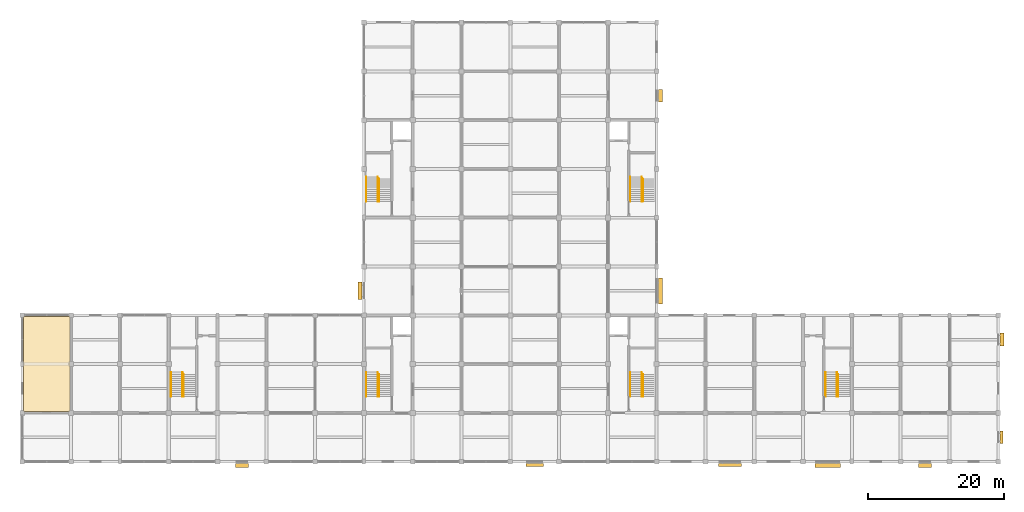
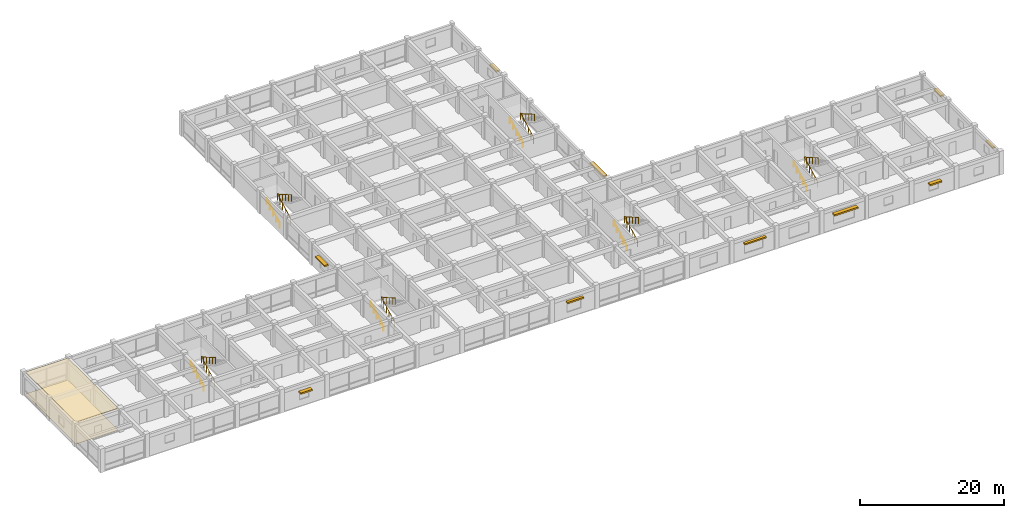
# One storey, part 25 of 25: 12 railings, 10 shading devices, 2 coverings.
"""IFC4 building model written with IfcOpenShell, lengths in metres."""

from ifc_helpers import new_model, si_unit, direction, frame, origin, origin_2d, place, context, subcontext, project, spatial, polyline, rectangle, circle, outline, extrude, material, layer, layer_set, type_object, element, save


model = new_model("IFC4")

# Units and contexts
model_context = context("Model", 3, precision=1e-05, world=origin(), true_north=direction((0.0, 1.0)))
body_context = subcontext(model_context, "Body", "Model", "MODEL_VIEW")
ifc_project = project(units=[si_unit("LENGTHUNIT", "METRE"), si_unit("AREAUNIT", "SQUARE_METRE"), si_unit("VOLUMEUNIT", "CUBIC_METRE"), si_unit("PLANEANGLEUNIT", "RADIAN"), si_unit("MASSUNIT", "GRAM", prefix="KILO")], contexts=[model_context])

# Site, building, storey
site_placement = place(None, origin())
site = spatial("IfcSite", under=ifc_project, at=site_placement, CompositionType="ELEMENT")
building_placement = place(site_placement, origin())
building = spatial("IfcBuilding", under=site, at=building_placement, Name="Cendaluz Park School", CompositionType="ELEMENT")
storey_placement = place(building_placement, frame((0.0, 0.0, 18.60009765625)))
storey = spatial("IfcBuildingStorey", under=building, at=storey_placement, Name="L04", CompositionType="ELEMENT", Elevation=18.60009765625)

# Coverings
ifc_material_1 = material(Name="Mineral Fibre Acoustic Tile")
ifc_layer_1 = layer(ifc_material_1, 0.030029296875)
ifc_layer_set_1 = layer_set([ifc_layer_1], Name="Mineral Fibre Acoustic Tile")
covering_type_1 = type_object("IfcCoveringType", Name="CV-CLG01", PredefinedType="CEILING", material=ifc_layer_set_1)
covering_1_placement = place(storey_placement, frame((0.0, 0.0, 3.7099609375)))
element("IfcCovering", 1, at=covering_1_placement, inside=storey, type_object=covering_type_1, Name="CV-CLG-L04-01", PredefinedType="CEILING", context=body_context, shape_type="SweptSolid", body=[
    extrude(outline(polyline([(14.60009765625, 14.60009765625), (21.39990234375, 14.60009765625), (21.39990234375, 28.60009765625), (14.60009765625, 28.60009765625), (14.60009765625, 14.60009765625)])), origin(), (0.0, 0.0, 1.0), 0.030029296875),
])
ifc_material_2 = material(Name="Polished Terrazzo Tile")
ifc_layer_2 = layer(ifc_material_2, 0.02001953125)
ifc_layer_set_2 = layer_set([ifc_layer_2], Name="Polished Terrazzo Tile")
covering_type_2 = type_object("IfcCoveringType", Name="CV-FLR01", PredefinedType="FLOORING", material=ifc_layer_set_2)
covering_2_placement = place(storey_placement, origin())
element("IfcCovering", 2, at=covering_2_placement, inside=storey, type_object=covering_type_2, Name="CV-FLR-L04-01", PredefinedType="FLOORING", context=body_context, shape_type="SweptSolid", body=[
    extrude(outline(polyline([(14.60009765625, 14.60009765625), (21.39990234375, 14.60009765625), (21.39990234375, 28.60009765625), (14.60009765625, 28.60009765625), (14.60009765625, 14.60009765625)])), origin(), (0.0, 0.0, 1.0), 0.02001953125),
])

# Railings
ifc_material_3 = material(Name="Wrought Iron")
railing_type_1 = type_object("IfcRailingType", Name="GR-ST01", PredefinedType="BALUSTRADE", material=ifc_material_3)
railing_1_placement = place(storey_placement, frame((66.840087890625, 16.800048828125, 0.159912109375)))
element("IfcRailing", 3, at=railing_1_placement, inside=storey, type_object=railing_type_1, Name="GR-ST-011", PredefinedType="BALUSTRADE", context=body_context, shape_type="SweptSolid", body=[
    extrude(circle(Radius=0.02392578125, at=origin_2d()), frame((0.0, 0.0, 1.076171875), z_axis=(0.0, 0.882352941176, 0.470588235294), x_axis=(-1.0, 0.0, 0.0)), (0.0, 0.0, 1.0), 4.079833984375),
    extrude(circle(Radius=0.02392578125, at=origin_2d()), frame((0.0, 3.599853515625, 2.99609375), z_axis=(0.493084071153, -0.86998166577, 0.0), x_axis=(0.86998166577, 0.493084071153, 0.0)), (0.0, 0.0, 1.0), 0.3447265625),
    extrude(circle(Radius=0.02392578125, at=origin_2d()), frame((0.169921875, 3.300048828125, 2.99609375), z_axis=(0.0, -0.86433267106, 0.502920504393), x_axis=(1.0, 0.0, 0.0)), (0.0, 0.0, 1.0), 3.818115234375),
    extrude(circle(Radius=0.02099609375, at=origin_2d()), origin(), (0.0, 0.0, 1.0), 1.052001953125),
    extrude(circle(Radius=0.02099609375, at=origin_2d()), frame((0.0, 0.719970703125, 0.384033203125)), (0.0, 0.0, 1.0), 1.052001953125),
    extrude(circle(Radius=0.02099609375, at=origin_2d()), frame((0.0, 1.43994140625, 0.76806640625)), (0.0, 0.0, 1.0), 1.052001953125),
    extrude(circle(Radius=0.02099609375, at=origin_2d()), frame((0.0, 2.159912109375, 1.15185546875)), (0.0, 0.0, 1.0), 1.052001953125),
    extrude(circle(Radius=0.02099609375, at=origin_2d()), frame((0.0, 2.8798828125, 1.535888671875)), (0.0, 0.0, 1.0), 1.052001953125),
    extrude(circle(Radius=0.02099609375, at=origin_2d()), frame((0.0, 3.599853515625, 1.919921875)), (0.0, 0.0, 1.0), 1.052001953125),
    extrude(circle(Radius=0.02099609375, at=origin_2d()), frame((0.169921875, 3.300048828125, 1.919921875)), (0.0, 0.0, 1.0), 1.052001953125),
    extrude(circle(Radius=0.02099609375, at=origin_2d()), frame((0.169921875, 2.47509765625, 2.39990234375)), (0.0, 0.0, 1.0), 1.052001953125),
    extrude(circle(Radius=0.02099609375, at=origin_2d()), frame((0.169921875, 1.64990234375, 2.8798828125)), (0.0, 0.0, 1.0), 1.052001953125),
    extrude(circle(Radius=0.02099609375, at=origin_2d()), frame((0.169921875, 0.824951171875, 3.360107421875)), (0.0, 0.0, 1.0), 1.052001953125),
    extrude(circle(Radius=0.02099609375, at=origin_2d()), frame((0.169921875, 0.0, 3.840087890625)), (0.0, 0.0, 1.0), 1.052001953125),
])
railing_2_placement = place(storey_placement, frame((105.7900390625, 16.800048828125, 0.159912109375)))
element("IfcRailing", 4, at=railing_2_placement, inside=storey, type_object=railing_type_1, Name="GR-ST-046", PredefinedType="BALUSTRADE", context=body_context, shape_type="SweptSolid", body=[
    extrude(circle(Radius=0.02392578125, at=origin_2d()), frame((0.0, 0.0, 1.076171875), z_axis=(0.0, 0.882352941176, 0.470588235294), x_axis=(-1.0, 0.0, 0.0)), (0.0, 0.0, 1.0), 4.079833984375),
    extrude(circle(Radius=0.02392578125, at=origin_2d()), frame((0.0, 3.599853515625, 2.99609375), z_axis=(0.493084071153, -0.86998166577, 0.0), x_axis=(0.86998166577, 0.493084071153, 0.0)), (0.0, 0.0, 1.0), 0.3447265625),
    extrude(circle(Radius=0.02392578125, at=origin_2d()), frame((0.169921875, 3.300048828125, 2.99609375), z_axis=(0.0, -0.86433267106, 0.502920504393), x_axis=(1.0, 0.0, 0.0)), (0.0, 0.0, 1.0), 3.818115234375),
    extrude(circle(Radius=0.02099609375, at=origin_2d()), origin(), (0.0, 0.0, 1.0), 1.052001953125),
    extrude(circle(Radius=0.02099609375, at=origin_2d()), frame((0.0, 0.719970703125, 0.384033203125)), (0.0, 0.0, 1.0), 1.052001953125),
    extrude(circle(Radius=0.02099609375, at=origin_2d()), frame((0.0, 1.43994140625, 0.76806640625)), (0.0, 0.0, 1.0), 1.052001953125),
    extrude(circle(Radius=0.02099609375, at=origin_2d()), frame((0.0, 2.159912109375, 1.15185546875)), (0.0, 0.0, 1.0), 1.052001953125),
    extrude(circle(Radius=0.02099609375, at=origin_2d()), frame((0.0, 2.8798828125, 1.535888671875)), (0.0, 0.0, 1.0), 1.052001953125),
    extrude(circle(Radius=0.02099609375, at=origin_2d()), frame((0.0, 3.599853515625, 1.919921875)), (0.0, 0.0, 1.0), 1.052001953125),
    extrude(circle(Radius=0.02099609375, at=origin_2d()), frame((0.169921875, 3.300048828125, 1.919921875)), (0.0, 0.0, 1.0), 1.052001953125),
    extrude(circle(Radius=0.02099609375, at=origin_2d()), frame((0.169921875, 2.47509765625, 2.39990234375)), (0.0, 0.0, 1.0), 1.052001953125),
    extrude(circle(Radius=0.02099609375, at=origin_2d()), frame((0.169921875, 1.64990234375, 2.8798828125)), (0.0, 0.0, 1.0), 1.052001953125),
    extrude(circle(Radius=0.02099609375, at=origin_2d()), frame((0.169921875, 0.824951171875, 3.360107421875)), (0.0, 0.0, 1.0), 1.052001953125),
    extrude(circle(Radius=0.02099609375, at=origin_2d()), frame((0.169921875, 0.0, 3.840087890625)), (0.0, 0.0, 1.0), 1.052001953125),
])
railing_3_placement = place(storey_placement, frame((66.840087890625, 45.60009765625, 0.159912109375)))
element("IfcRailing", 5, at=railing_3_placement, inside=storey, type_object=railing_type_1, Name="GR-ST-081", PredefinedType="BALUSTRADE", context=body_context, shape_type="SweptSolid", body=[
    extrude(circle(Radius=0.02392578125, at=origin_2d()), frame((0.0, 0.0, 1.076171875), z_axis=(0.0, 0.882352941176, 0.470588235294), x_axis=(-1.0, 0.0, 0.0)), (0.0, 0.0, 1.0), 4.079833984375),
    extrude(circle(Radius=0.02392578125, at=origin_2d()), frame((0.0, 3.599853515625, 2.99609375), z_axis=(0.492780319847, -0.870153754443, 0.0), x_axis=(0.870153754443, 0.492780319847, 0.0)), (0.0, 0.0, 1.0), 0.3447265625),
    extrude(circle(Radius=0.02392578125, at=origin_2d()), frame((0.169921875, 3.2998046875, 2.99609375), z_axis=(0.0, -0.864316496394, 0.502948301579), x_axis=(1.0, 0.0, 0.0)), (0.0, 0.0, 1.0), 3.81787109375),
    extrude(circle(Radius=0.02099609375, at=origin_2d()), origin(), (0.0, 0.0, 1.0), 1.052001953125),
    extrude(circle(Radius=0.02099609375, at=origin_2d()), frame((0.0, 0.719970703125, 0.384033203125)), (0.0, 0.0, 1.0), 1.052001953125),
    extrude(circle(Radius=0.02099609375, at=origin_2d()), frame((0.0, 1.43994140625, 0.76806640625)), (0.0, 0.0, 1.0), 1.052001953125),
    extrude(circle(Radius=0.02099609375, at=origin_2d()), frame((0.0, 2.159912109375, 1.15185546875)), (0.0, 0.0, 1.0), 1.052001953125),
    extrude(circle(Radius=0.02099609375, at=origin_2d()), frame((0.0, 2.8798828125, 1.535888671875)), (0.0, 0.0, 1.0), 1.052001953125),
    extrude(circle(Radius=0.02099609375, at=origin_2d()), frame((0.0, 3.599853515625, 1.919921875)), (0.0, 0.0, 1.0), 1.052001953125),
    extrude(circle(Radius=0.02099609375, at=origin_2d()), frame((0.169921875, 3.2998046875, 1.919921875)), (0.0, 0.0, 1.0), 1.052001953125),
    extrude(circle(Radius=0.02099609375, at=origin_2d()), frame((0.169921875, 2.474853515625, 2.39990234375)), (0.0, 0.0, 1.0), 1.052001953125),
    extrude(circle(Radius=0.02099609375, at=origin_2d()), frame((0.169921875, 1.64990234375, 2.8798828125)), (0.0, 0.0, 1.0), 1.052001953125),
    extrude(circle(Radius=0.02099609375, at=origin_2d()), frame((0.169921875, 0.824951171875, 3.360107421875)), (0.0, 0.0, 1.0), 1.052001953125),
    extrude(circle(Radius=0.02099609375, at=origin_2d()), frame((0.169921875, 0.0, 3.840087890625)), (0.0, 0.0, 1.0), 1.052001953125),
])
railing_4_placement = place(storey_placement, frame((105.7900390625, 45.60009765625, 0.159912109375)))
element("IfcRailing", 6, at=railing_4_placement, inside=storey, type_object=railing_type_1, Name="GR-ST-116", PredefinedType="BALUSTRADE", context=body_context, shape_type="SweptSolid", body=[
    extrude(circle(Radius=0.02392578125, at=origin_2d()), frame((0.0, 0.0, 1.076171875), z_axis=(0.0, 0.882352941176, 0.470588235294), x_axis=(-1.0, 0.0, 0.0)), (0.0, 0.0, 1.0), 4.079833984375),
    extrude(circle(Radius=0.02392578125, at=origin_2d()), frame((0.0, 3.599853515625, 2.99609375), z_axis=(0.492780319847, -0.870153754443, 0.0), x_axis=(0.870153754443, 0.492780319847, 0.0)), (0.0, 0.0, 1.0), 0.3447265625),
    extrude(circle(Radius=0.02392578125, at=origin_2d()), frame((0.169921875, 3.2998046875, 2.99609375), z_axis=(0.0, -0.864316496394, 0.502948301579), x_axis=(1.0, 0.0, 0.0)), (0.0, 0.0, 1.0), 3.81787109375),
    extrude(circle(Radius=0.02099609375, at=origin_2d()), origin(), (0.0, 0.0, 1.0), 1.052001953125),
    extrude(circle(Radius=0.02099609375, at=origin_2d()), frame((0.0, 0.719970703125, 0.384033203125)), (0.0, 0.0, 1.0), 1.052001953125),
    extrude(circle(Radius=0.02099609375, at=origin_2d()), frame((0.0, 1.43994140625, 0.76806640625)), (0.0, 0.0, 1.0), 1.052001953125),
    extrude(circle(Radius=0.02099609375, at=origin_2d()), frame((0.0, 2.159912109375, 1.15185546875)), (0.0, 0.0, 1.0), 1.052001953125),
    extrude(circle(Radius=0.02099609375, at=origin_2d()), frame((0.0, 2.8798828125, 1.535888671875)), (0.0, 0.0, 1.0), 1.052001953125),
    extrude(circle(Radius=0.02099609375, at=origin_2d()), frame((0.0, 3.599853515625, 1.919921875)), (0.0, 0.0, 1.0), 1.052001953125),
    extrude(circle(Radius=0.02099609375, at=origin_2d()), frame((0.169921875, 3.2998046875, 1.919921875)), (0.0, 0.0, 1.0), 1.052001953125),
    extrude(circle(Radius=0.02099609375, at=origin_2d()), frame((0.169921875, 2.474853515625, 2.39990234375)), (0.0, 0.0, 1.0), 1.052001953125),
    extrude(circle(Radius=0.02099609375, at=origin_2d()), frame((0.169921875, 1.64990234375, 2.8798828125)), (0.0, 0.0, 1.0), 1.052001953125),
    extrude(circle(Radius=0.02099609375, at=origin_2d()), frame((0.169921875, 0.824951171875, 3.360107421875)), (0.0, 0.0, 1.0), 1.052001953125),
    extrude(circle(Radius=0.02099609375, at=origin_2d()), frame((0.169921875, 0.0, 3.840087890625)), (0.0, 0.0, 1.0), 1.052001953125),
])
railing_5_placement = place(storey_placement, frame((38.0400390625, 16.800048828125, 0.159912109375)))
element("IfcRailing", 7, at=railing_5_placement, inside=storey, type_object=railing_type_1, Name="GR-ST-151", PredefinedType="BALUSTRADE", context=body_context, shape_type="SweptSolid", body=[
    extrude(circle(Radius=0.02392578125, at=origin_2d()), frame((0.0, 0.0, 1.076171875), z_axis=(0.0, 0.882352941176, 0.470588235294), x_axis=(-1.0, 0.0, 0.0)), (0.0, 0.0, 1.0), 4.079833984375),
    extrude(circle(Radius=0.02392578125, at=origin_2d()), frame((0.0, 3.599853515625, 2.99609375), z_axis=(0.493084071153, -0.86998166577, 0.0), x_axis=(0.86998166577, 0.493084071153, 0.0)), (0.0, 0.0, 1.0), 0.3447265625),
    extrude(circle(Radius=0.02392578125, at=origin_2d()), frame((0.169921875, 3.300048828125, 2.99609375), z_axis=(0.0, -0.86433267106, 0.502920504393), x_axis=(1.0, 0.0, 0.0)), (0.0, 0.0, 1.0), 3.818115234375),
    extrude(circle(Radius=0.02099609375, at=origin_2d()), origin(), (0.0, 0.0, 1.0), 1.052001953125),
    extrude(circle(Radius=0.02099609375, at=origin_2d()), frame((0.0, 0.719970703125, 0.384033203125)), (0.0, 0.0, 1.0), 1.052001953125),
    extrude(circle(Radius=0.02099609375, at=origin_2d()), frame((0.0, 1.43994140625, 0.76806640625)), (0.0, 0.0, 1.0), 1.052001953125),
    extrude(circle(Radius=0.02099609375, at=origin_2d()), frame((0.0, 2.159912109375, 1.15185546875)), (0.0, 0.0, 1.0), 1.052001953125),
    extrude(circle(Radius=0.02099609375, at=origin_2d()), frame((0.0, 2.8798828125, 1.535888671875)), (0.0, 0.0, 1.0), 1.052001953125),
    extrude(circle(Radius=0.02099609375, at=origin_2d()), frame((0.0, 3.599853515625, 1.919921875)), (0.0, 0.0, 1.0), 1.052001953125),
    extrude(circle(Radius=0.02099609375, at=origin_2d()), frame((0.169921875, 3.300048828125, 1.919921875)), (0.0, 0.0, 1.0), 1.052001953125),
    extrude(circle(Radius=0.02099609375, at=origin_2d()), frame((0.169921875, 2.47509765625, 2.39990234375)), (0.0, 0.0, 1.0), 1.052001953125),
    extrude(circle(Radius=0.02099609375, at=origin_2d()), frame((0.169921875, 1.64990234375, 2.8798828125)), (0.0, 0.0, 1.0), 1.052001953125),
    extrude(circle(Radius=0.02099609375, at=origin_2d()), frame((0.169921875, 0.824951171875, 3.360107421875)), (0.0, 0.0, 1.0), 1.052001953125),
    extrude(circle(Radius=0.02099609375, at=origin_2d()), frame((0.169921875, 0.0, 3.840087890625)), (0.0, 0.0, 1.0), 1.052001953125),
])
railing_6_placement = place(storey_placement, frame((134.590087890625, 16.800048828125, 0.159912109375)))
element("IfcRailing", 8, at=railing_6_placement, inside=storey, type_object=railing_type_1, Name="GR-ST-168", PredefinedType="BALUSTRADE", context=body_context, shape_type="SweptSolid", body=[
    extrude(circle(Radius=0.02392578125, at=origin_2d()), frame((0.0, 0.0, 1.076171875), z_axis=(0.0, 0.882352941176, 0.470588235294), x_axis=(-1.0, 0.0, 0.0)), (0.0, 0.0, 1.0), 4.079833984375),
    extrude(circle(Radius=0.02392578125, at=origin_2d()), frame((0.0, 3.599853515625, 2.99609375), z_axis=(0.493084071153, -0.86998166577, 0.0), x_axis=(0.86998166577, 0.493084071153, 0.0)), (0.0, 0.0, 1.0), 0.3447265625),
    extrude(circle(Radius=0.02392578125, at=origin_2d()), frame((0.169921875, 3.300048828125, 2.99609375), z_axis=(0.0, -0.86433267106, 0.502920504393), x_axis=(1.0, 0.0, 0.0)), (0.0, 0.0, 1.0), 3.818115234375),
    extrude(circle(Radius=0.02099609375, at=origin_2d()), origin(), (0.0, 0.0, 1.0), 1.052001953125),
    extrude(circle(Radius=0.02099609375, at=origin_2d()), frame((0.0, 0.719970703125, 0.384033203125)), (0.0, 0.0, 1.0), 1.052001953125),
    extrude(circle(Radius=0.02099609375, at=origin_2d()), frame((0.0, 1.43994140625, 0.76806640625)), (0.0, 0.0, 1.0), 1.052001953125),
    extrude(circle(Radius=0.02099609375, at=origin_2d()), frame((0.0, 2.159912109375, 1.15185546875)), (0.0, 0.0, 1.0), 1.052001953125),
    extrude(circle(Radius=0.02099609375, at=origin_2d()), frame((0.0, 2.8798828125, 1.535888671875)), (0.0, 0.0, 1.0), 1.052001953125),
    extrude(circle(Radius=0.02099609375, at=origin_2d()), frame((0.0, 3.599853515625, 1.919921875)), (0.0, 0.0, 1.0), 1.052001953125),
    extrude(circle(Radius=0.02099609375, at=origin_2d()), frame((0.169921875, 3.300048828125, 1.919921875)), (0.0, 0.0, 1.0), 1.052001953125),
    extrude(circle(Radius=0.02099609375, at=origin_2d()), frame((0.169921875, 2.47509765625, 2.39990234375)), (0.0, 0.0, 1.0), 1.052001953125),
    extrude(circle(Radius=0.02099609375, at=origin_2d()), frame((0.169921875, 1.64990234375, 2.8798828125)), (0.0, 0.0, 1.0), 1.052001953125),
    extrude(circle(Radius=0.02099609375, at=origin_2d()), frame((0.169921875, 0.824951171875, 3.360107421875)), (0.0, 0.0, 1.0), 1.052001953125),
    extrude(circle(Radius=0.02099609375, at=origin_2d()), frame((0.169921875, 0.0, 3.840087890625)), (0.0, 0.0, 1.0), 1.052001953125),
])
ifc_material_4 = material(Name="Architectural Bronze")
railing_type_2 = type_object("IfcRailingType", Name="HR-ST01", PredefinedType="HANDRAIL", material=ifc_material_4)
for number, where, name in (
    (9, (65.14990234375, 16.800048828125, 0.159912109375), "HR-ST-012"),
    (10, (104.10009765625, 16.800048828125, 0.159912109375), "HR-ST-047"),
    (11, (65.14990234375, 45.60009765625, 0.159912109375), "HR-ST-082"),
    (12, (104.10009765625, 45.60009765625, 0.159912109375), "HR-ST-117"),
    (13, (36.35009765625, 16.800048828125, 0.159912109375), "HR-ST-152"),
    (14, (132.89990234375, 16.800048828125, 0.159912109375), "HR-ST-169"),
):
    element("IfcRailing", number, at=place(storey_placement, frame(where)), inside=storey, type_object=railing_type_2, Name=name, PredefinedType="HANDRAIL", context=body_context, shape_type="SweptSolid", body=[
        extrude(circle(Radius=0.02392578125, at=origin_2d()), frame((0.0, 0.0, 0.8759765625), z_axis=(0.0, 0.882352941176, 0.470588235294), x_axis=(-1.0, 0.0, 0.0)), (0.0, 0.0, 1.0), 4.079833984375),
        extrude(circle(Radius=0.02099609375, at=origin_2d()), origin(), (0.0, 0.0, 1.0), 0.851806640625),
        extrude(circle(Radius=0.02099609375, at=origin_2d()), frame((0.0, 0.89990234375, 0.47998046875)), (0.0, 0.0, 1.0), 0.851806640625),
        extrude(circle(Radius=0.02099609375, at=origin_2d()), frame((0.0, 1.7998046875, 0.9599609375)), (0.0, 0.0, 1.0), 0.851806640625),
        extrude(circle(Radius=0.02099609375, at=origin_2d()), frame((0.0, 2.699951171875, 1.43994140625)), (0.0, 0.0, 1.0), 0.851806640625),
        extrude(circle(Radius=0.02099609375, at=origin_2d()), frame((0.0, 3.599853515625, 1.919921875)), (0.0, 0.0, 1.0), 0.851806640625),
    ])

# Shading devices
ifc_material_5 = material(Name="Anodised Aluminium 6063-T6", Category="aluminium")
shading_device_type_1 = type_object("IfcShadingDeviceType", Name="SD-01", PredefinedType="JALOUSIE", material=ifc_material_5)
shading_device_1_placement = place(storey_placement, frame((46.800048828125, 6.64990234375, 2.4697265625), z_axis=(0.0, 0.0, 1.0), x_axis=(1.0, 0.0, 0.0)))
element("IfcShadingDevice", 15, at=shading_device_1_placement, inside=storey, type_object=shading_device_type_1, Name="SD-L04-061", PredefinedType="JALOUSIE", context=body_context, shape_type="SweptSolid", body=[
    extrude(rectangle(XDim=1.89990234375, YDim=0.60009765625, at=origin_2d()), origin(), (0.0, 0.0, 1.0), 0.239990234375),
])
shading_device_2_placement = place(storey_placement, frame((64.25, 32.39990234375, 2.7197265625), z_axis=(0.0, 0.0, 1.0), x_axis=(0.0, 1.0, 0.0)))
element("IfcShadingDevice", 16, at=shading_device_2_placement, inside=storey, type_object=shading_device_type_1, Name="SD-L04-062", PredefinedType="JALOUSIE", context=body_context, shape_type="SweptSolid", body=[
    extrude(rectangle(XDim=2.60009765625, YDim=0.60009765625, at=origin_2d()), origin(), (0.0, 0.0, 1.0), 0.239990234375),
])
shading_device_3_placement = place(storey_placement, frame((108.550048828125, 32.387451171875, 2.7197265625), z_axis=(0.0, 0.0, 1.0), x_axis=(0.0, 1.0, 0.0)))
element("IfcShadingDevice", 17, at=shading_device_3_placement, inside=storey, type_object=shading_device_type_1, Name="SD-L04-064", PredefinedType="JALOUSIE", context=body_context, shape_type="SweptSolid", body=[
    extrude(rectangle(XDim=3.800048828125, YDim=0.60009765625, at=origin_2d()), origin(), (0.0, 0.0, 1.0), 0.239990234375),
])
shading_device_4_placement = place(storey_placement, frame((108.550048828125, 61.199951171875, 2.4697265625), z_axis=(0.0, 0.0, 1.0), x_axis=(0.0, 1.0, 0.0)))
element("IfcShadingDevice", 18, at=shading_device_4_placement, inside=storey, type_object=shading_device_type_1, Name="SD-L04-065", PredefinedType="JALOUSIE", context=body_context, shape_type="SweptSolid", body=[
    extrude(rectangle(XDim=1.89990234375, YDim=0.60009765625, at=origin_2d()), origin(), (0.0, 0.0, 1.0), 0.239990234375),
])
shading_device_5_placement = place(storey_placement, frame((133.25, 6.64990234375, 2.7197265625), z_axis=(0.0, 0.0, 1.0), x_axis=(1.0, 0.0, 0.0)))
element("IfcShadingDevice", 19, at=shading_device_5_placement, inside=storey, type_object=shading_device_type_1, Name="SD-L04-067", PredefinedType="JALOUSIE", context=body_context, shape_type="SweptSolid", body=[
    extrude(rectangle(XDim=3.800048828125, YDim=0.60009765625, at=origin_2d()), origin(), (0.0, 0.0, 1.0), 0.239990234375),
])
for number, where, z_axis, x_axis, name in (
    (20, (147.60009765625, 6.64990234375, 2.4697265625), (0.0, 0.0, 1.0), (1.0, 0.0, 0.0), "SD-L04-068"),
    (21, (158.949951171875, 25.21240234375, 2.4697265625), (0.0, 0.0, 1.0), (0.0, 1.0, 0.0), "SD-L04-070"),
):
    element("IfcShadingDevice", number, at=place(storey_placement, frame(where, z_axis=z_axis, x_axis=x_axis)), inside=storey, type_object=shading_device_type_1, Name=name, PredefinedType="JALOUSIE", context=body_context, shape_type="SweptSolid", body=[
        extrude(rectangle(XDim=1.89990234375, YDim=0.60009765625, at=origin_2d()), origin(), (0.0, 0.0, 1.0), 0.239990234375),
    ])
shading_device_type_2 = type_object("IfcShadingDeviceType", Name="SD-02", PredefinedType="SHUTTER", material=ifc_material_4)
shading_device_6_placement = place(storey_placement, frame((90.0, 6.72509765625, 2.7197265625), z_axis=(0.0, 0.0, 1.0), x_axis=(1.0, 0.0, 0.0)))
element("IfcShadingDevice", 22, at=shading_device_6_placement, inside=storey, type_object=shading_device_type_2, Name="SD-L04-063", PredefinedType="SHUTTER", context=body_context, shape_type="SweptSolid", body=[
    extrude(rectangle(XDim=2.60009765625, YDim=0.449951171875, at=origin_2d()), origin(), (0.0, 0.0, 1.0), 0.239990234375),
])
shading_device_7_placement = place(storey_placement, frame((118.800048828125, 6.72509765625, 2.7197265625), z_axis=(0.0, 0.0, 1.0), x_axis=(1.0, 0.0, 0.0)))
element("IfcShadingDevice", 23, at=shading_device_7_placement, inside=storey, type_object=shading_device_type_2, Name="SD-L04-066", PredefinedType="SHUTTER", context=body_context, shape_type="SweptSolid", body=[
    extrude(rectangle(XDim=3.39990234375, YDim=0.449951171875, at=origin_2d()), origin(), (0.0, 0.0, 1.0), 0.239990234375),
])
shading_device_8_placement = place(storey_placement, frame((158.875, 10.800048828125, 2.4697265625), z_axis=(0.0, 0.0, 1.0), x_axis=(0.0, 1.0, 0.0)))
element("IfcShadingDevice", 24, at=shading_device_8_placement, inside=storey, type_object=shading_device_type_2, Name="SD-L04-069", PredefinedType="SHUTTER", context=body_context, shape_type="SweptSolid", body=[
    extrude(rectangle(XDim=1.89990234375, YDim=0.449951171875, at=origin_2d()), origin(), (0.0, 0.0, 1.0), 0.239990234375),
])

save(model, "model.ifc")
